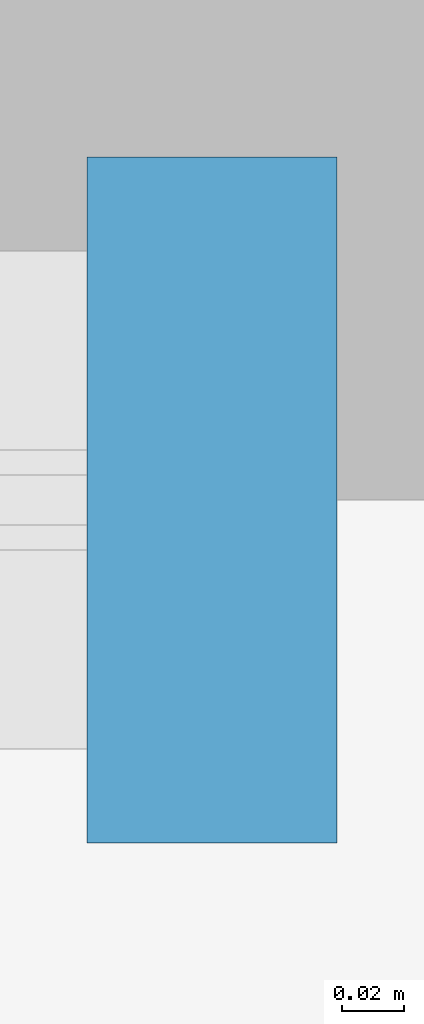
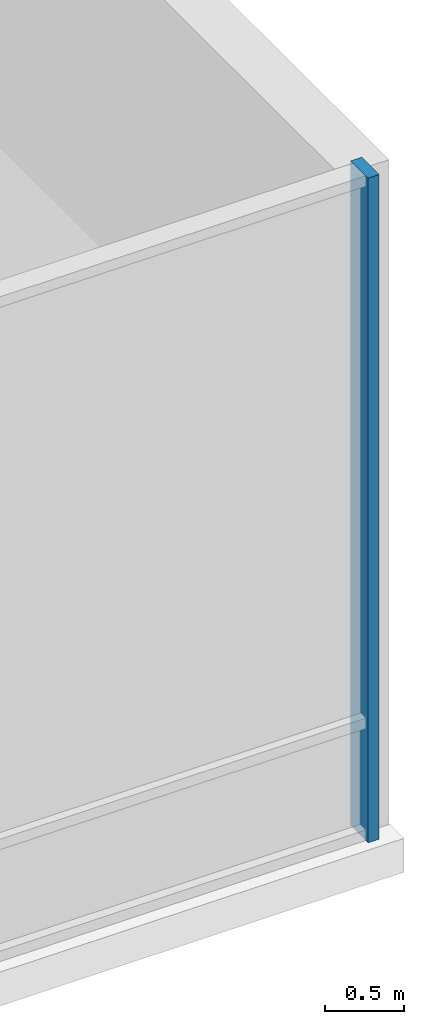
# One storey, part 8 of 19: 1 member, 1 element without a shape of its own.
"""IFC4 building model written with IfcOpenShell, lengths in metres."""

import ifcopenshell
import ifcopenshell.guid

model = None  # the IFC model being written
_history = None  # IfcOwnerHistory: only IFC2X3 demands one
_inside = {}  # id of a spatial element -> (the spatial element, [elements in it])
_under = {}  # id of a project, library or spatial element -> (it, [spatial elements below it])
_declared = {}  # id of a project -> (the project, [libraries it declares])
_typed = {}  # id of a type object -> (the type object, [elements of that type])
_made_of = {}  # id of a material, layer set ... -> (it, [elements and type objects made of it])


def new_model(schema):
    """Start an empty IFC model of exactly this schema.

    Asked for "IFC4X3", IfcOpenShell would pick the latest addendum, in which some entities
    have other attributes; the version numbers below select the first issue.
    IFC2X3 requires an IfcOwnerHistory on every rooted entity: one is made here for all.
    """
    global model, _history
    if schema == "IFC4X3":
        model = ifcopenshell.file(schema_version=(4, 3, 0, 0))
    else:
        model = ifcopenshell.file(schema=schema)
    _inside.clear()
    _under.clear()
    _declared.clear()
    _typed.clear()
    _made_of.clear()
    _history = None
    if model.schema == "IFC2X3":
        org = make("IfcOrganization", Name="unknown")
        user = make(
            "IfcPersonAndOrganization",
            ThePerson=make("IfcPerson", FamilyName="unknown"),
            TheOrganization=org,
        )
        app = make(
            "IfcApplication",
            ApplicationDeveloper=org,
            Version="unknown",
            ApplicationFullName="unknown",
            ApplicationIdentifier="unknown",
        )
        _history = make(
            "IfcOwnerHistory",
            OwningUser=user,
            OwningApplication=app,
            ChangeAction="ADDED",
            CreationDate=0,
        )
    return model


def make(cls, **values):
    """One entity of the class cls with the attributes given. An attribute that is None is left unset."""
    return model.create_entity(
        cls, **{name: value for name, value in values.items() if value is not None}
    )


def rooted(cls, **values):
    """An entity with a GlobalId (a new one), such as an element, a storey or a relation."""
    return make(cls, GlobalId=ifcopenshell.guid.new(), OwnerHistory=_history, **values)


def si_unit(unit_type, name, prefix=None):
    """IfcSIUnit, for example si_unit("LENGTHUNIT", "METRE", prefix="MILLI")."""
    return make("IfcSIUnit", UnitType=unit_type, Prefix=prefix, Name=name)


def assignment(units):
    """IfcUnitAssignment: the units of a project."""
    return None if units is None else make("IfcUnitAssignment", Units=units)


def point(xyz):
    """IfcCartesianPoint."""
    return None if xyz is None else make("IfcCartesianPoint", Coordinates=xyz)


def direction(xyz):
    """IfcDirection."""
    return None if xyz is None else make("IfcDirection", DirectionRatios=xyz)


def frame(location, z_axis=None, x_axis=None):
    """IfcAxis2Placement3D, a coordinate frame: its origin and axes. An axis left out is left unset."""
    return make(
        "IfcAxis2Placement3D",
        Location=point(location),
        Axis=direction(z_axis),
        RefDirection=direction(x_axis),
    )


def frame_2d(location, x_axis=None):
    """IfcAxis2Placement2D, a coordinate frame in the plane: its origin and x axis."""
    return make(
        "IfcAxis2Placement2D", Location=point(location), RefDirection=direction(x_axis)
    )


def origin():
    """The frame at (0, 0, 0) with its axes left unset."""
    return frame((0.0, 0.0, 0.0))


def origin_2d():
    """The frame at (0, 0) in the plane with its x axis left unset."""
    return frame_2d((0.0, 0.0))


def place(relative_to, where):
    """IfcLocalPlacement: puts the frame where relative to a parent placement (None: the world)."""
    return make(
        "IfcLocalPlacement", PlacementRelTo=relative_to, RelativePlacement=where
    )


def context(
    kind, dimensions, precision=None, world=None, true_north=None, identifier=None
):
    """IfcGeometricRepresentationContext, for example the 3D "Model" context."""
    return make(
        "IfcGeometricRepresentationContext",
        ContextIdentifier=identifier,
        ContextType=kind,
        CoordinateSpaceDimension=dimensions,
        Precision=precision,
        WorldCoordinateSystem=world,
        TrueNorth=true_north,
    )


def subcontext(parent, identifier, kind, view, scale=None):
    """IfcGeometricRepresentationSubContext, for example "Body" below "Model"."""
    return make(
        "IfcGeometricRepresentationSubContext",
        ContextIdentifier=identifier,
        ContextType=kind,
        ParentContext=parent,
        TargetScale=scale,
        TargetView=view,
    )


def project(units=None, contexts=None):
    """IfcProject with its units and contexts."""
    return rooted(
        "IfcProject",
        Name="project",
        RepresentationContexts=contexts,
        UnitsInContext=assignment(units),
    )


def spatial(cls, under=None, at=None, **own):
    """A site, building, storey or space (cls), placed at a placement, below another one or the project."""
    s = rooted(cls, ObjectPlacement=at, **own)
    if under is not None:
        _under.setdefault(under.id(), (under, []))[1].append(s)
    return s


def profile(cls, at=None, kind="AREA", **sizes):
    """A parametric profile (cls). Its sizes go by their IFC names, for example OverallWidth=200.0."""
    return make(cls, ProfileType=kind, Position=at, **sizes)


def rectangle(**sizes):
    """IfcRectangleProfileDef."""
    return profile("IfcRectangleProfileDef", **sizes)


def extrude(swept, where, along, depth):
    """IfcExtrudedAreaSolid: the profile swept, set in the frame where, extruded along a direction by depth."""
    return make(
        "IfcExtrudedAreaSolid",
        SweptArea=swept,
        Position=where,
        ExtrudedDirection=direction(along),
        Depth=depth,
    )


def shape(context_of_items, identifier, shape_type, items):
    """IfcShapeRepresentation: the items that make up one representation, for example the "Body"."""
    return make(
        "IfcShapeRepresentation",
        ContextOfItems=context_of_items,
        RepresentationIdentifier=identifier,
        RepresentationType=shape_type,
        Items=items,
    )


def material(Name=None, Category=None):
    """IfcMaterial."""
    return make("IfcMaterial", Name=Name, Category=Category)


def layer(
    of_material, thickness, ventilated=None, Name=None, Category=None, Priority=None
):
    """IfcMaterialLayer: one layer of a wall or slab, of a material (None: an air gap)."""
    return make(
        "IfcMaterialLayer",
        Material=of_material,
        LayerThickness=thickness,
        IsVentilated=ventilated,
        Name=Name,
        Category=Category,
        Priority=Priority,
    )


def layer_set(layers, Name=None):
    """IfcMaterialLayerSet."""
    return make("IfcMaterialLayerSet", MaterialLayers=layers, LayerSetName=Name)


def made_of(thing, what):
    """Note that an element or type object is made of a material, layer set ...; save() writes the relation."""
    if what is not None:
        _made_of.setdefault(what.id(), (what, []))[1].append(thing)
    return thing


def type_object(cls, material=None, **own):
    """A type object (cls), such as IfcWallType, which elements share."""
    return made_of(rooted(cls, **own), material)


def element(
    cls,
    number,
    at=None,
    inside=None,
    cuts=None,
    type_object=None,
    material=None,
    context=None,
    identifier="Body",
    shape_type=None,
    held_by="IfcProductDefinitionShape",
    body=None,
    shapes=None,
    **own,
):
    """One element of the class cls, such as IfcWall. Its Tag is "e" and its number.

    at: its placement. inside: the storey or other place that contains it. cuts: it is an
    opening in that element (IfcRelVoidsElement). A single representation is given by context,
    identifier, shape_type and body (its items); several are given by shapes. held_by: the class
    of the entity that holds the representations. save() writes the other relations.
    """
    e = rooted(cls, Tag="e%d" % number, ObjectPlacement=at, **own)
    if body is not None:
        shapes = [shape(context, identifier, shape_type, body)]
    if shapes is not None:
        e.Representation = make(held_by, Representations=shapes)
    if inside is not None:
        _inside.setdefault(inside.id(), (inside, []))[1].append(e)
    if cuts is not None:
        rooted(
            "IfcRelVoidsElement", RelatingBuildingElement=cuts, RelatedOpeningElement=e
        )
    if type_object is not None:
        _typed.setdefault(type_object.id(), (type_object, []))[1].append(e)
    return made_of(e, material)


def aggregate(whole, parts):
    """IfcRelAggregates: a whole, such as a stair, and the parts it consists of."""
    return rooted("IfcRelAggregates", RelatingObject=whole, RelatedObjects=parts)


def save(model, path):
    """Write the relations noted so far, then the file.

    IfcRelAggregates (storeys below a building ...), IfcRelContainedInSpatialStructure (elements
    in a storey), IfcRelDefinesByType, IfcRelAssociatesMaterial and IfcRelDeclares: one each for
    every whole, place, type object, material and project.
    """
    for whole, parts in _under.values():
        aggregate(whole, parts)
    for where, things in _inside.values():
        rooted(
            "IfcRelContainedInSpatialStructure",
            RelatedElements=things,
            RelatingStructure=where,
        )
    for kind, things in _typed.values():
        rooted("IfcRelDefinesByType", RelatedObjects=things, RelatingType=kind)
    for what, things in _made_of.values():
        rooted("IfcRelAssociatesMaterial", RelatedObjects=things, RelatingMaterial=what)
    for by, libraries in _declared.values():
        rooted("IfcRelDeclares", RelatingContext=by, RelatedDefinitions=libraries)
    model.write(path)


model = new_model("IFC4")

# Units and contexts
model_context = context("Model", 3, precision=1e-05, world=origin(), true_north=direction((0.0, 1.0)))
body_context = subcontext(model_context, "Body", "Model", "MODEL_VIEW")
ifc_project = project(units=[si_unit("LENGTHUNIT", "METRE"), si_unit("AREAUNIT", "SQUARE_METRE"), si_unit("VOLUMEUNIT", "CUBIC_METRE"), si_unit("PLANEANGLEUNIT", "RADIAN"), si_unit("MASSUNIT", "GRAM", prefix="KILO")], contexts=[model_context])

# Site, building, storey
site_placement = place(None, origin())
site = spatial("IfcSite", under=ifc_project, at=site_placement, CompositionType="ELEMENT")
building_placement = place(site_placement, origin())
building = spatial("IfcBuilding", under=site, at=building_placement, Name="Tharavind Bronze Gate", CompositionType="ELEMENT")
storey_placement = place(building_placement, frame((0.0, 0.0, 26.5)))
storey = spatial("IfcBuildingStorey", under=building, at=storey_placement, Name="L05", CompositionType="ELEMENT", Elevation=26.5)

# Curtain wall, member
ifc_material = material(Name="Anodised Bronze Aluminium", Category="aluminium")
ifc_layer = layer(ifc_material, 0.219970703125)
ifc_layer_set = layer_set([ifc_layer], Name="Anodised Bronze Aluminium")
curtain_wall_type = type_object("IfcCurtainWallType", Name="UNITISED CURTAIN WALL PODIUM", PredefinedType="USERDEFINED", material=ifc_layer_set)
curtain_wall_placement = place(storey_placement, origin())
curtain_wall = element("IfcCurtainWall", 1, at=curtain_wall_placement, inside=storey, type_object=curtain_wall_type, Name="L05 unitised curtain wall podium CW-L05-S1", ObjectType="UNITISED CURTAIN WALL", PredefinedType="USERDEFINED")
member_type = type_object("IfcMemberType", Name="CURTAIN WALL MULLION 80X220", PredefinedType="MULLION", material=ifc_material)
member_placement = place(storey_placement, frame((33.820068359375, -27.02001953125, 0.0), z_axis=(0.0, 0.0, 1.0), x_axis=(1.0, 0.0, 0.0)))
member = element("IfcMember", 2, at=member_placement, type_object=member_type, Name="CW-L05-S1 mullion 11", PredefinedType="MULLION", context=body_context, shape_type="SweptSolid", body=[
    extrude(rectangle(XDim=0.080078125, YDim=0.219970703125, at=origin_2d()), origin(), (0.0, 0.0, 1.0), 5.10498046875),
])
aggregate(curtain_wall, [member])

save(model, "model.ifc")
